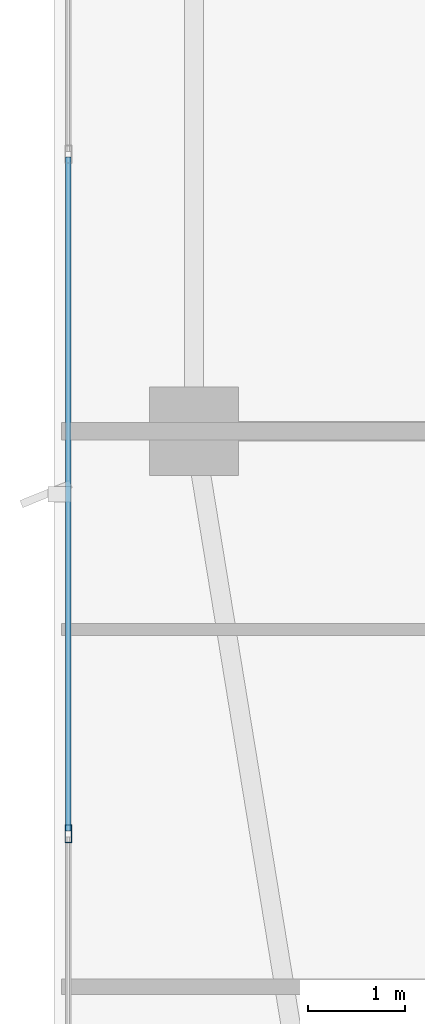
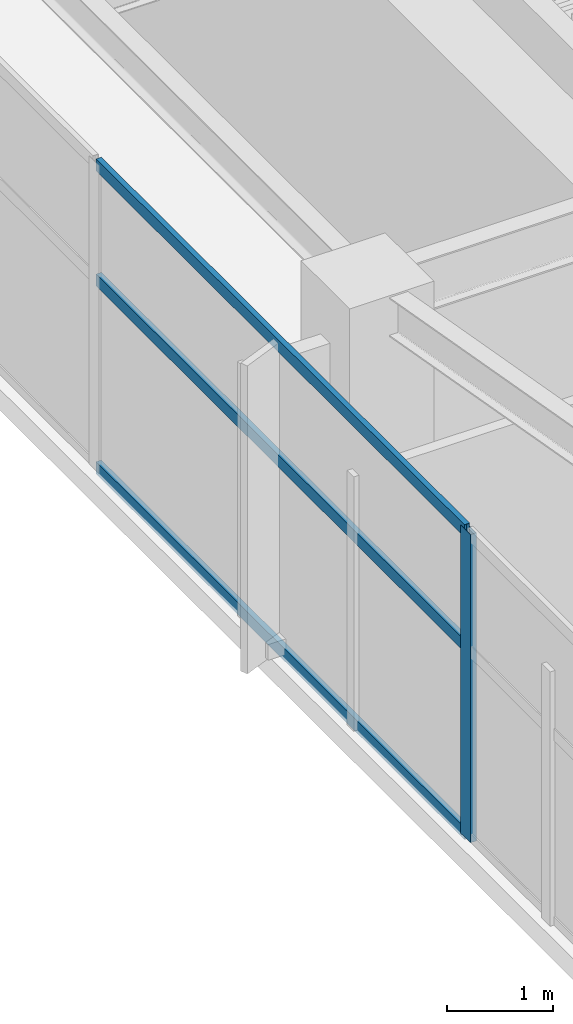
# One storey, part 4 of 29: 4 members, 1 element without a shape of its own.
"""IFC4 building model written with IfcOpenShell, lengths in metres."""

from ifc_helpers import new_model, si_unit, direction, frame, origin, origin_2d, place, context, subcontext, project, spatial, hollow_rectangle, extrude, material, layer, layer_set, material_profile, profile_set, type_object, element, aggregate, save


model = new_model("IFC4")

# Units and contexts
model_context = context("Model", 3, precision=1e-05, world=origin(), true_north=direction((0.0, 1.0)))
body_context = subcontext(model_context, "Body", "Model", "MODEL_VIEW")
ifc_project = project(units=[si_unit("LENGTHUNIT", "METRE"), si_unit("AREAUNIT", "SQUARE_METRE"), si_unit("VOLUMEUNIT", "CUBIC_METRE"), si_unit("PLANEANGLEUNIT", "RADIAN"), si_unit("MASSUNIT", "GRAM", prefix="KILO")], contexts=[model_context])

# Site, building, storey
site_placement = place(None, origin())
site = spatial("IfcSite", under=ifc_project, at=site_placement, CompositionType="ELEMENT")
building_placement = place(site_placement, origin())
building = spatial("IfcBuilding", under=site, at=building_placement, Name="Calvorn Quay Hotel", CompositionType="ELEMENT")
storey_placement = place(building_placement, frame((0.0, 0.0, 211.0)))
storey = spatial("IfcBuildingStorey", under=building, at=storey_placement, Name="L52", CompositionType="ELEMENT", Elevation=211.0)

# Curtain wall, members
ifc_material_1 = material(Name="Champagne Bronze Anodised Aluminium and Low-E Glass", Category="aluminium")
ifc_layer = layer(ifc_material_1, 0.219970703125)
ifc_layer_set = layer_set([ifc_layer], Name="CW-SYS-Z3")
curtain_wall_type = type_object("IfcCurtainWallType", Name="CW-SYS-Z3", PredefinedType="NOTDEFINED", material=ifc_layer_set)
curtain_wall_placement = place(storey_placement, origin())
curtain_wall = element("IfcCurtainWall", 1, at=curtain_wall_placement, inside=storey, type_object=curtain_wall_type, Name="Tower West Curtain Wall (L52)", PredefinedType="NOTDEFINED")
ifc_material_2 = material(Name="Champagne Bronze Anodised Aluminium 6063-T6", Category="aluminium")
ifc_material_profile_1 = material_profile(ifc_material_2, hollow_rectangle(XDim=0.068115234375, YDim=0.18505859375, WallThickness=0.00390625, at=origin_2d()), Name="ALU-M185x68x4")
ifc_profile_set_1 = profile_set([ifc_material_profile_1], Name="Champagne Bronze Anodised Aluminium 6063-T6")
member_type_1 = type_object("IfcMemberType", Name="CW-SYS-Z3-MUL", PredefinedType="MULLION", material=ifc_profile_set_1)
member_1_placement = place(storey_placement, frame((0.14990234375, 12.63330078125, 0.0), z_axis=(0.0, 0.0, 1.0), x_axis=(-1.0, 0.0, 0.0)))
member_1 = element("IfcMember", 2, at=member_1_placement, type_object=member_type_1, Name="CW-L52-W mullion 2", PredefinedType="MULLION", context=body_context, shape_type="SweptSolid", body=[
    extrude(hollow_rectangle(XDim=0.068115234375, YDim=0.18505859375, WallThickness=0.00390625, at=origin_2d()), origin(), (0.0, 0.0, 1.0), 3.56005859375),
])
ifc_material_3 = material(Name="Champagne Bronze Anodised Aluminium 6063-T6", Category="aluminium")
ifc_material_profile_2 = material_profile(ifc_material_3, hollow_rectangle(XDim=0.05810546875, YDim=0.139892578125, WallThickness=0.003173828125, at=origin_2d()), Name="ALU-T140x58x3.2")
ifc_profile_set_2 = profile_set([ifc_material_profile_2], Name="Champagne Bronze Anodised Aluminium 6063-T6")
member_type_2 = type_object("IfcMemberType", Name="CW-SYS-Z3-TRN", PredefinedType="USERDEFINED", material=ifc_profile_set_2)
member_2_placement = place(storey_placement, frame((0.14990234375, 12.663330078125, 0.030029296875), z_axis=(0.0, 1.0, 0.0), x_axis=(-1.0, 0.0, 0.0)))
member_2 = element("IfcMember", 3, at=member_2_placement, type_object=member_type_2, Name="CW-L52-W transom 2.1", ObjectType="TRANSOM", PredefinedType="USERDEFINED", context=body_context, shape_type="SweptSolid", body=[
    extrude(hollow_rectangle(XDim=0.05810546875, YDim=0.139892578125, WallThickness=0.003173828125, at=origin_2d()), origin(), (0.0, 0.0, 1.0), 6.973388671875),
])
member_3_placement = place(storey_placement, frame((0.14990234375, 12.663330078125, 2.199951171875), z_axis=(0.0, 1.0, 0.0), x_axis=(-1.0, 0.0, 0.0)))
member_3 = element("IfcMember", 4, at=member_3_placement, type_object=member_type_2, Name="CW-L52-W transom 2.2", ObjectType="TRANSOM", PredefinedType="USERDEFINED", context=body_context, shape_type="SweptSolid", body=[
    extrude(hollow_rectangle(XDim=0.05810546875, YDim=0.139892578125, WallThickness=0.003173828125, at=origin_2d()), origin(), (0.0, 0.0, 1.0), 6.973388671875),
])
member_4_placement = place(storey_placement, frame((0.14990234375, 12.663330078125, 3.530029296875), z_axis=(0.0, 1.0, 0.0), x_axis=(-1.0, 0.0, 0.0)))
member_4 = element("IfcMember", 5, at=member_4_placement, type_object=member_type_2, Name="CW-L52-W transom 2.3", ObjectType="TRANSOM", PredefinedType="USERDEFINED", context=body_context, shape_type="SweptSolid", body=[
    extrude(hollow_rectangle(XDim=0.05810546875, YDim=0.139892578125, WallThickness=0.003173828125, at=origin_2d()), origin(), (0.0, 0.0, 1.0), 6.973388671875),
])
aggregate(curtain_wall, [member_1, member_2, member_3, member_4])

save(model, "model.ifc")
